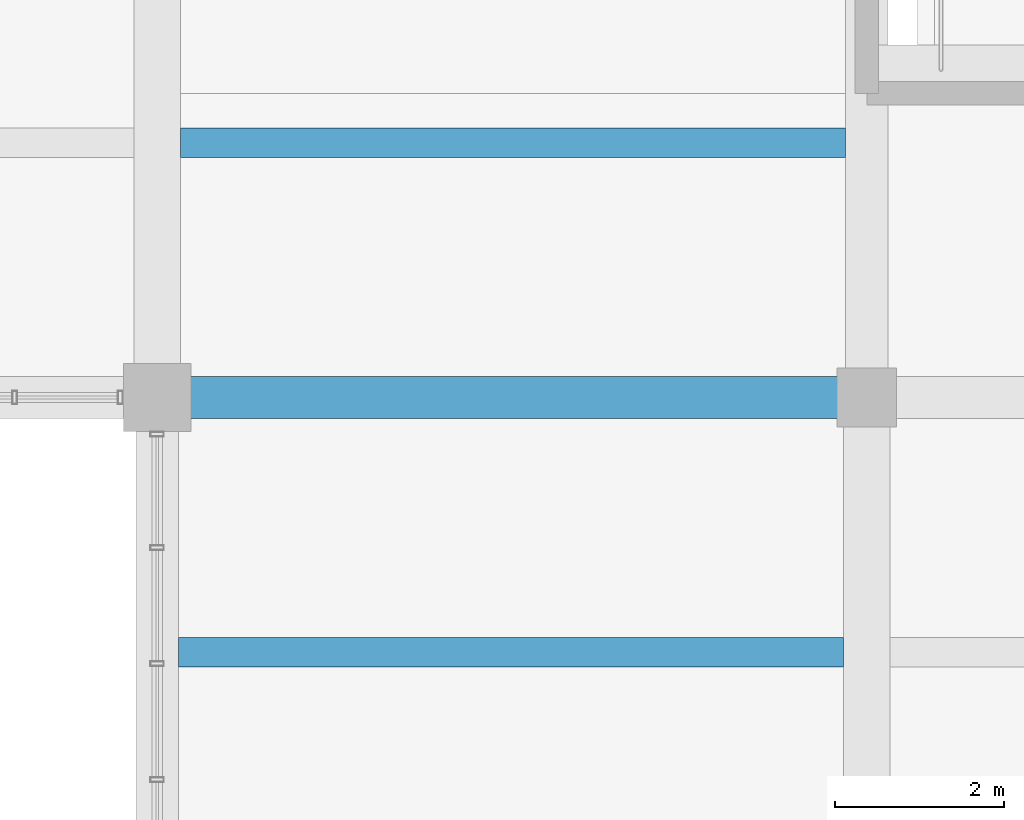
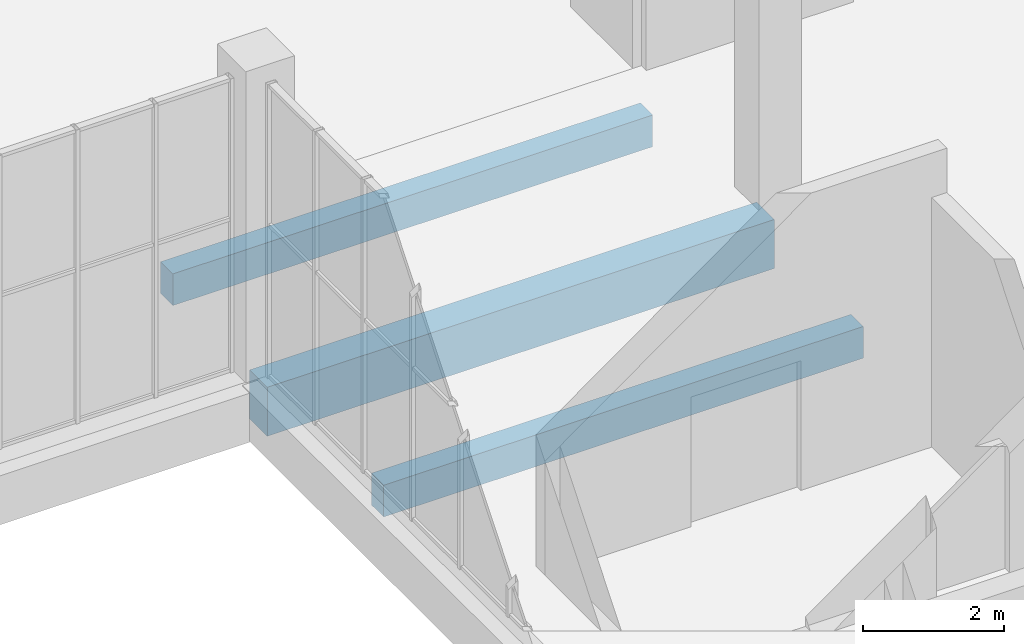
# One storey, part 6 of 132: 3 beams.
"""IFC4 building model written with IfcOpenShell, lengths in metres."""

from ifc_helpers import new_model, si_unit, direction, frame, origin, origin_2d, place, context, subcontext, project, spatial, rectangle, extrude, material, material_profile, profile_set, type_object, element, save


model = new_model("IFC4")

# Units and contexts
model_context = context("Model", 3, precision=1e-05, world=origin(), true_north=direction((0.0, 1.0)))
body_context = subcontext(model_context, "Body", "Model", "MODEL_VIEW")
ifc_project = project(units=[si_unit("LENGTHUNIT", "METRE"), si_unit("AREAUNIT", "SQUARE_METRE"), si_unit("VOLUMEUNIT", "CUBIC_METRE"), si_unit("PLANEANGLEUNIT", "RADIAN"), si_unit("MASSUNIT", "GRAM", prefix="KILO")], contexts=[model_context])

# Site, building, storey
site_placement = place(None, origin())
site = spatial("IfcSite", under=ifc_project, at=site_placement, CompositionType="ELEMENT")
building_placement = place(site_placement, origin())
building = spatial("IfcBuilding", under=site, at=building_placement, Name="Khurvash Pelagic Aquarium", CompositionType="ELEMENT")
storey_placement = place(building_placement, frame((0.0, 0.0, 5.39990234375)))
storey = spatial("IfcBuildingStorey", under=building, at=storey_placement, Name="L01", CompositionType="ELEMENT", Elevation=5.39990234375)

# Beams
ifc_material_1 = material(Name="Concrete C40/50", Category="concrete")
ifc_material_profile_1 = material_profile(ifc_material_1, rectangle(XDim=0.5, YDim=0.85009765625, at=origin_2d()), Name="RC500X850")
ifc_profile_set_1 = profile_set([ifc_material_profile_1], Name="Concrete C40/50")
beam_type_1 = type_object("IfcBeamType", Name="BM-03", PredefinedType="BEAM", material=ifc_profile_set_1)
beam_placement = place(storey_placement, frame((25.239990234375, 29.75, -0.744873046875), z_axis=(1.0, 0.0, 0.0), x_axis=(0.0, 1.0, 0.0)))
element("IfcBeam", 1, at=beam_placement, inside=storey, type_object=beam_type_1, Name="L01 Primary Girder BM-03 00277", PredefinedType="BEAM", context=body_context, shape_type="SweptSolid", body=[
    extrude(rectangle(XDim=0.5, YDim=0.85009765625, at=origin_2d()), origin(), (0.0, 0.0, 1.0), 8.320068359375),
])
ifc_material_2 = material(Name="Concrete C35/45", Category="concrete")
ifc_material_profile_2 = material_profile(ifc_material_2, rectangle(XDim=0.35009765625, YDim=0.550048828125, at=origin_2d()), Name="RC350X550")
ifc_profile_set_2 = profile_set([ifc_material_profile_2], Name="Concrete C35/45")
beam_type_2 = type_object("IfcBeamType", Name="JS-01", PredefinedType="JOIST", material=ifc_profile_set_2)
for number, where, z_axis, x_axis, name in (
    (2, (25.449951171875, 26.73291015625, -0.5849609375), (1.0, 0.0, 0.0), (0.0, 1.0, 0.0), "L01 Floor Joist JS-01 00461"),
    (3, (25.47509765625, 32.76708984375, -0.5849609375), (1.0, 0.0, 0.0), (0.0, 1.0, 0.0), "L01 Floor Joist JS-01 00462"),
):
    element("IfcBeam", number, at=place(storey_placement, frame(where, z_axis=z_axis, x_axis=x_axis)), inside=storey, type_object=beam_type_2, Name=name, PredefinedType="JOIST", context=body_context, shape_type="SweptSolid", body=[
        extrude(rectangle(XDim=0.35009765625, YDim=0.550048828125, at=origin_2d()), origin(), (0.0, 0.0, 1.0), 7.875),
    ])

save(model, "model.ifc")
